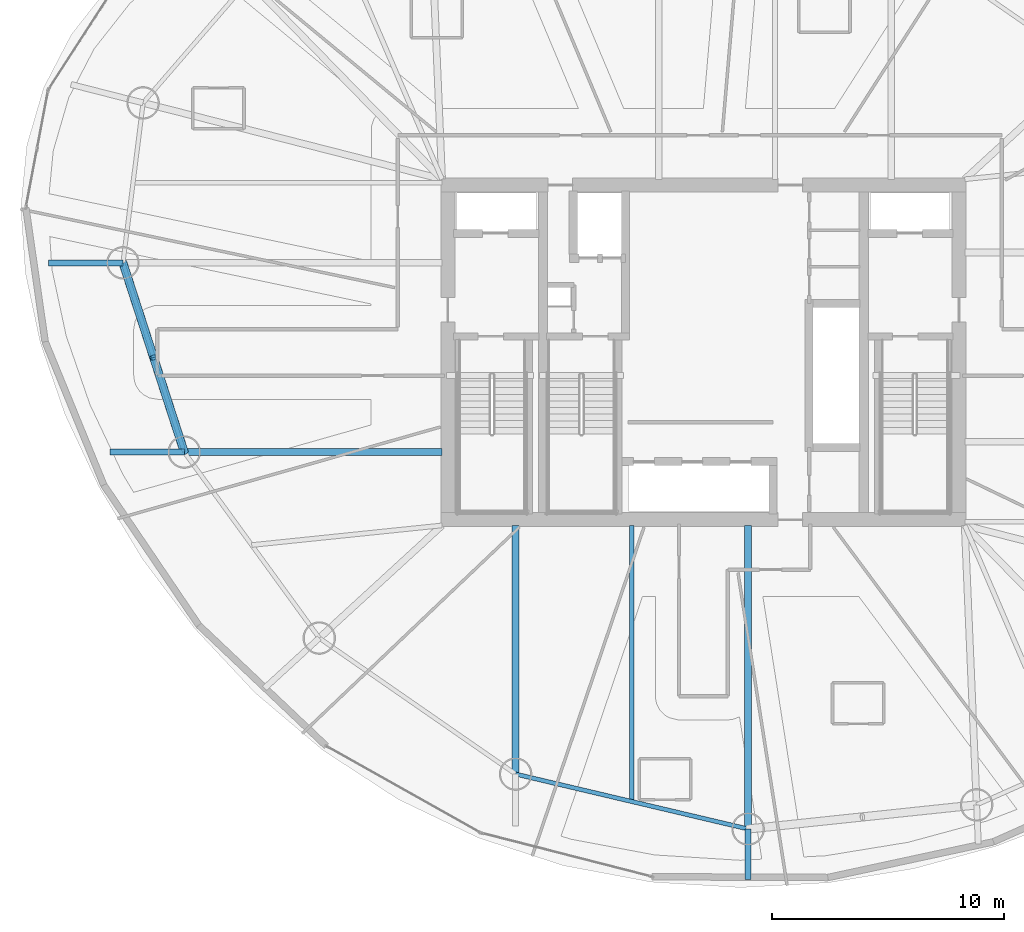
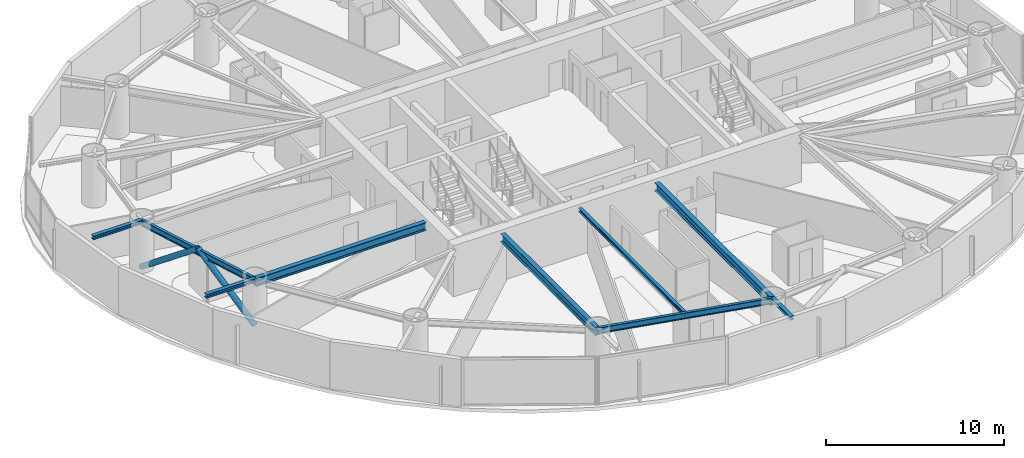
# One storey, part 4 of 22: 9 beams, 2 members.
"""IFC4 building model written with IfcOpenShell, lengths in metres."""

from ifc_helpers import new_model, si_unit, direction, frame, origin, origin_2d, place, context, subcontext, project, spatial, hollow_circle, i_section, extrude, material, material_profile, profile_set, type_object, element, save


model = new_model("IFC4")

# Units and contexts
model_context = context("Model", 3, precision=1e-05, world=origin(), true_north=direction((0.0, 1.0)))
body_context = subcontext(model_context, "Body", "Model", "MODEL_VIEW")
ifc_project = project(units=[si_unit("LENGTHUNIT", "METRE"), si_unit("AREAUNIT", "SQUARE_METRE"), si_unit("VOLUMEUNIT", "CUBIC_METRE"), si_unit("PLANEANGLEUNIT", "RADIAN"), si_unit("MASSUNIT", "GRAM", prefix="KILO")], contexts=[model_context])

# Site, building, storey
site_placement = place(None, origin())
site = spatial("IfcSite", under=ifc_project, at=site_placement, CompositionType="ELEMENT")
building_placement = place(site_placement, origin())
building = spatial("IfcBuilding", under=site, at=building_placement, Name="Bramvorn Convention Spire", CompositionType="ELEMENT")
storey_placement = place(building_placement, frame((0.0, 0.0, 120.300048828125)))
storey = spatial("IfcBuildingStorey", under=building, at=storey_placement, Name="L29", CompositionType="ELEMENT", Elevation=120.300048828125)

# Beams
ifc_material = material(Name="Steel CSA G40.21 Grade 350 (350W)", Category="steel")
ifc_material_profile_1 = material_profile(ifc_material, i_section(OverallWidth=0.201904296875, OverallDepth=0.2470703125, WebThickness=0.00732421875, FlangeThickness=0.010986328125, FilletRadius=0.011962890625, at=origin_2d()))
ifc_profile_set_1 = profile_set([ifc_material_profile_1], Name="Steel CSA G40.21 Grade 350 (350W) - W250X49")
beam_type_1 = type_object("IfcBeamType", Name="BM-W250X49", PredefinedType="JOIST", material=ifc_profile_set_1)
beam_1_placement = place(storey_placement, frame((34.920654296875, 18.550048828125, 3.136474609375), z_axis=(0.0, -1.0, 0.0), x_axis=(1.0, 0.0, 0.0)))
element("IfcBeam", 1, at=beam_1_placement, inside=storey, type_object=beam_type_1, Name="L29 composite floor joist 13", PredefinedType="JOIST", context=body_context, shape_type="SweptSolid", body=[
    extrude(i_section(OverallWidth=0.201904296875, OverallDepth=0.2470703125, WebThickness=0.00732421875, FlangeThickness=0.010986328125, FilletRadius=0.011962890625, at=origin_2d()), origin(), (0.0, 0.0, 1.0), 11.8857421875),
])
ifc_material_profile_2 = material_profile(ifc_material, i_section(OverallWidth=0.25390625, OverallDepth=0.2529296875, WebThickness=0.008544921875, FlangeThickness=0.01416015625, FilletRadius=0.011962890625, at=origin_2d()))
ifc_profile_set_2 = profile_set([ifc_material_profile_2], Name="Steel CSA G40.21 Grade 350 (350W) - W250X73")
beam_type_2 = type_object("IfcBeamType", Name="BM-W250X73", PredefinedType="BEAM", material=ifc_profile_set_2)
for number, where, z_axis, x_axis, name in (
    (2, (13.016357421875, 29.851806640625, 3.133544921875), (-1.0, 0.0, 0.0), (0.0, -1.0, 0.0), "L29 slab-edge cantilever tip beam MC10"),
    (3, (15.654296875, 21.706787109375, 3.133544921875), (-1.0, 0.0, 0.0), (0.0, -1.0, 0.0), "L29 slab-edge cantilever tip beam MC11"),
):
    element("IfcBeam", number, at=place(storey_placement, frame(where, z_axis=z_axis, x_axis=x_axis)), inside=storey, type_object=beam_type_2, Name=name, PredefinedType="BEAM", context=body_context, shape_type="SweptSolid", body=[
        extrude(i_section(OverallWidth=0.25390625, OverallDepth=0.2529296875, WebThickness=0.008544921875, FlangeThickness=0.01416015625, FilletRadius=0.011962890625, at=origin_2d()), origin(), (0.0, 0.0, 1.0), 3.199951171875),
    ])
beam_2_placement = place(storey_placement, frame((39.924072265625, 5.482666015625, 3.133544921875), z_axis=(0.0, -1.0, 0.0), x_axis=(1.0, 0.0, 0.0)))
element("IfcBeam", 4, at=beam_2_placement, inside=storey, type_object=beam_type_2, Name="L29 slab-edge cantilever tip beam MC14", PredefinedType="BEAM", context=body_context, shape_type="SweptSolid", body=[
    extrude(i_section(OverallWidth=0.25390625, OverallDepth=0.2529296875, WebThickness=0.008544921875, FlangeThickness=0.01416015625, FilletRadius=0.011962890625, at=origin_2d()), origin(), (0.0, 0.0, 1.0), 2.177978515625),
])
ifc_material_profile_3 = material_profile(ifc_material, i_section(OverallWidth=0.180908203125, OverallDepth=0.4169921875, WebThickness=0.010986328125, FlangeThickness=0.018310546875, FilletRadius=0.01611328125, at=origin_2d()))
ifc_profile_set_3 = profile_set([ifc_material_profile_3], Name="Steel CSA G40.21 Grade 350 (350W) - W410X85")
beam_type_3 = type_object("IfcBeamType", Name="BM-W410X85", PredefinedType="JOIST", material=ifc_profile_set_3)
beam_3_placement = place(storey_placement, frame((13.016357421875, 29.851806640625, 3.051513671875), z_axis=(0.308114853612, -0.951349166701, 0.0), x_axis=(0.951349166701, 0.308114853612, 0.0)))
element("IfcBeam", 5, at=beam_3_placement, inside=storey, type_object=beam_type_3, Name="L29 mega-column ring beam 10", PredefinedType="JOIST", context=body_context, shape_type="SweptSolid", body=[
    extrude(i_section(OverallWidth=0.180908203125, OverallDepth=0.4169921875, WebThickness=0.010986328125, FlangeThickness=0.018310546875, FilletRadius=0.01611328125, at=origin_2d()), origin(), (0.0, 0.0, 1.0), 8.5615234375),
])
beam_4_placement = place(storey_placement, frame((29.917236328125, 7.845947265625, 3.051513671875), z_axis=(0.97322750491, -0.229843911572, 0.0), x_axis=(0.229843911572, 0.97322750491, 0.0)))
element("IfcBeam", 6, at=beam_4_placement, inside=storey, type_object=beam_type_3, Name="L29 mega-column ring beam 13", PredefinedType="JOIST", context=body_context, shape_type="SweptSolid", body=[
    extrude(i_section(OverallWidth=0.180908203125, OverallDepth=0.4169921875, WebThickness=0.010986328125, FlangeThickness=0.018310546875, FilletRadius=0.01611328125, at=origin_2d()), origin(), (0.0, 0.0, 1.0), 10.2822265625),
])
ifc_material_profile_4 = material_profile(ifc_material, i_section(OverallWidth=0.2919921875, OverallDepth=0.551025390625, WebThickness=0.01513671875, FlangeThickness=0.0244140625, FilletRadius=0.01904296875, at=origin_2d()))
ifc_profile_set_4 = profile_set([ifc_material_profile_4], Name="Steel CSA G40.21 Grade 350 (350W) - W530X182")
beam_type_4 = type_object("IfcBeamType", Name="BM-W530X182", PredefinedType="BEAM", material=ifc_profile_set_4)
beam_5_placement = place(storey_placement, frame((26.75, 21.706787109375, 2.984375), z_axis=(-1.0, 0.0, 0.0), x_axis=(0.0, -1.0, 0.0)))
element("IfcBeam", 7, at=beam_5_placement, inside=storey, type_object=beam_type_4, Name="L29 radial floor girder MC11", PredefinedType="BEAM", context=body_context, shape_type="SweptSolid", body=[
    extrude(i_section(OverallWidth=0.2919921875, OverallDepth=0.551025390625, WebThickness=0.01513671875, FlangeThickness=0.0244140625, FilletRadius=0.01904296875, at=origin_2d()), origin(), (0.0, 0.0, 1.0), 11.095703125),
])
beam_6_placement = place(storey_placement, frame((29.917236328125, 18.550048828125, 2.984375), z_axis=(0.0, -1.0, 0.0), x_axis=(1.0, 0.0, 0.0)))
element("IfcBeam", 8, at=beam_6_placement, inside=storey, type_object=beam_type_4, Name="L29 radial floor girder MC13", PredefinedType="BEAM", context=body_context, shape_type="SweptSolid", body=[
    extrude(i_section(OverallWidth=0.2919921875, OverallDepth=0.551025390625, WebThickness=0.01513671875, FlangeThickness=0.0244140625, FilletRadius=0.01904296875, at=origin_2d()), origin(), (0.0, 0.0, 1.0), 10.7041015625),
])
beam_7_placement = place(storey_placement, frame((39.924072265625, 18.550048828125, 2.984375), z_axis=(0.0, -1.0, 0.0), x_axis=(1.0, 0.0, 0.0)))
element("IfcBeam", 9, at=beam_7_placement, inside=storey, type_object=beam_type_4, Name="L29 radial floor girder MC14", PredefinedType="BEAM", context=body_context, shape_type="SweptSolid", body=[
    extrude(i_section(OverallWidth=0.2919921875, OverallDepth=0.551025390625, WebThickness=0.01513671875, FlangeThickness=0.0244140625, FilletRadius=0.01904296875, at=origin_2d()), origin(), (0.0, 0.0, 1.0), 13.0673828125),
])

# Members
ifc_material_profile_5 = material_profile(ifc_material, hollow_circle(Radius=0.177734375, WallThickness=0.015869140625, at=origin_2d()))
ifc_profile_set_5 = profile_set([ifc_material_profile_5], Name="Steel CSA G40.21 Grade 350 (350W) - CHS356X16")
member_type = type_object("IfcMemberType", Name="MBR-CHS356X16", PredefinedType="BRACE", material=ifc_profile_set_5)
for number, where, z_axis, x_axis, name in (
    (10, (13.016357421875, 29.851806640625, 0.0), (0.245105274589, -0.75686802766, 0.605866481227), (0.951357525158, 0.308089044476, 0.0), "L29 perimeter Gothic lancet brace 10A"),
    (11, (15.654296875, 21.706787109375, 0.0), (-0.245147921079, 0.756859609759, 0.605859742768), (-0.951340807692, -0.308140662068, 0.0), "L29 perimeter Gothic lancet brace 10B"),
):
    element("IfcMember", number, at=place(storey_placement, frame(where, z_axis=z_axis, x_axis=x_axis)), inside=storey, type_object=member_type, Name=name, PredefinedType="BRACE", context=body_context, shape_type="SweptSolid", body=[
        extrude(hollow_circle(Radius=0.177734375, WallThickness=0.015869140625, at=origin_2d()), origin(), (0.0, 0.0, 1.0), 5.380859375),
    ])

save(model, "model.ifc")
